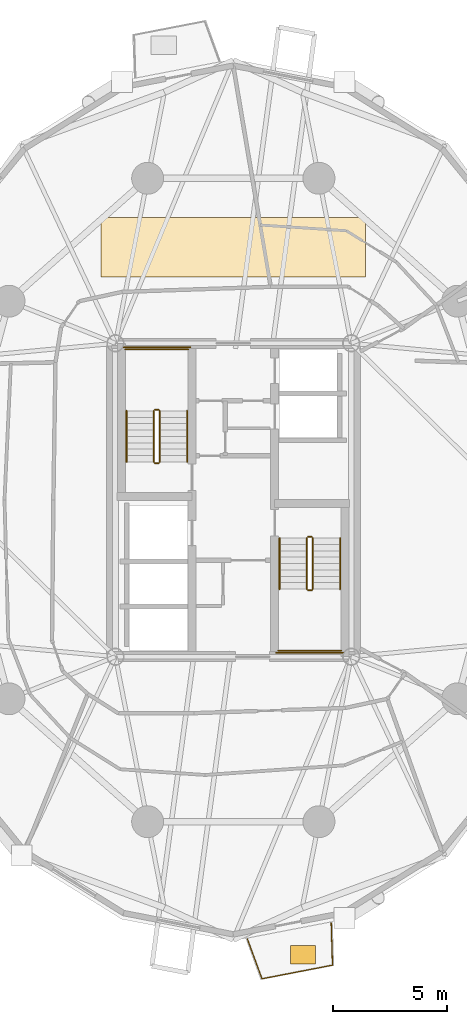
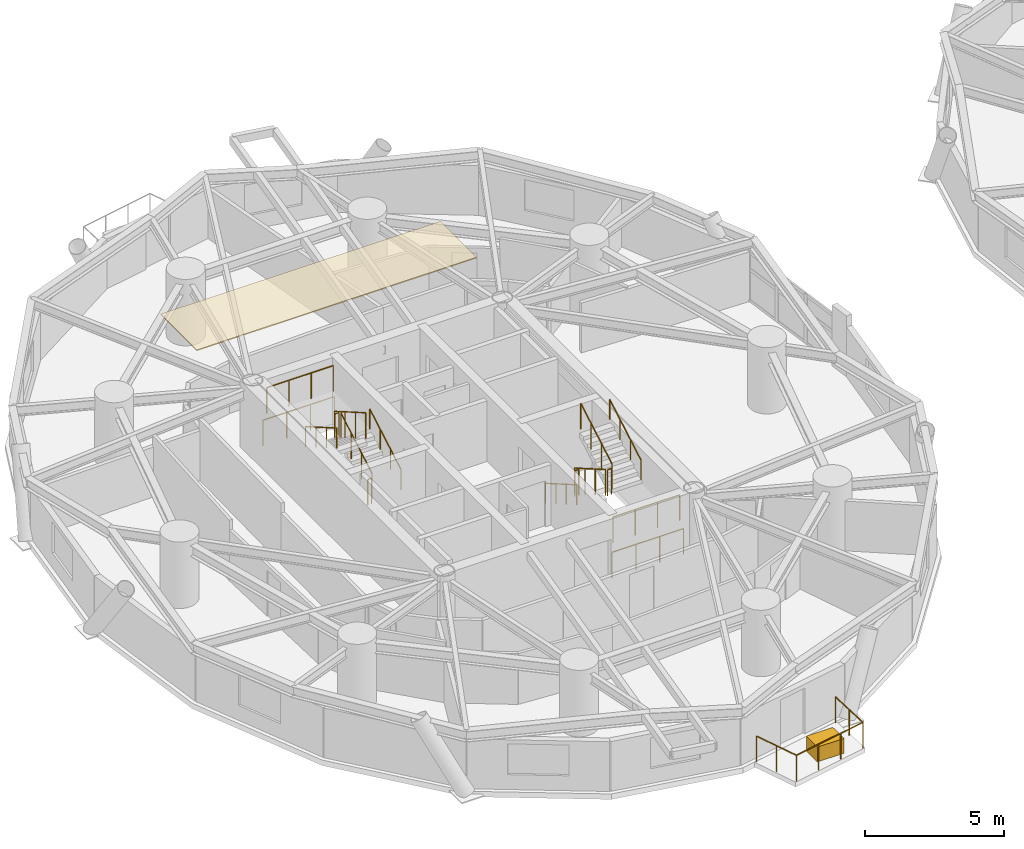
# One storey, part 16 of 18: 17 railings, 2 coverings.
"""IFC4 building model written with IfcOpenShell, lengths in metres."""

import ifcopenshell
import ifcopenshell.guid

model = None  # the IFC model being written
_history = None  # IfcOwnerHistory: only IFC2X3 demands one
_inside = {}  # id of a spatial element -> (the spatial element, [elements in it])
_under = {}  # id of a project, library or spatial element -> (it, [spatial elements below it])
_declared = {}  # id of a project -> (the project, [libraries it declares])
_typed = {}  # id of a type object -> (the type object, [elements of that type])
_made_of = {}  # id of a material, layer set ... -> (it, [elements and type objects made of it])


def new_model(schema):
    """Start an empty IFC model of exactly this schema.

    Asked for "IFC4X3", IfcOpenShell would pick the latest addendum, in which some entities
    have other attributes; the version numbers below select the first issue.
    IFC2X3 requires an IfcOwnerHistory on every rooted entity: one is made here for all.
    """
    global model, _history
    if schema == "IFC4X3":
        model = ifcopenshell.file(schema_version=(4, 3, 0, 0))
    else:
        model = ifcopenshell.file(schema=schema)
    _inside.clear()
    _under.clear()
    _declared.clear()
    _typed.clear()
    _made_of.clear()
    _history = None
    if model.schema == "IFC2X3":
        org = make("IfcOrganization", Name="unknown")
        user = make(
            "IfcPersonAndOrganization",
            ThePerson=make("IfcPerson", FamilyName="unknown"),
            TheOrganization=org,
        )
        app = make(
            "IfcApplication",
            ApplicationDeveloper=org,
            Version="unknown",
            ApplicationFullName="unknown",
            ApplicationIdentifier="unknown",
        )
        _history = make(
            "IfcOwnerHistory",
            OwningUser=user,
            OwningApplication=app,
            ChangeAction="ADDED",
            CreationDate=0,
        )
    return model


def make(cls, **values):
    """One entity of the class cls with the attributes given. An attribute that is None is left unset."""
    return model.create_entity(
        cls, **{name: value for name, value in values.items() if value is not None}
    )


def rooted(cls, **values):
    """An entity with a GlobalId (a new one), such as an element, a storey or a relation."""
    return make(cls, GlobalId=ifcopenshell.guid.new(), OwnerHistory=_history, **values)


def si_unit(unit_type, name, prefix=None):
    """IfcSIUnit, for example si_unit("LENGTHUNIT", "METRE", prefix="MILLI")."""
    return make("IfcSIUnit", UnitType=unit_type, Prefix=prefix, Name=name)


def assignment(units):
    """IfcUnitAssignment: the units of a project."""
    return None if units is None else make("IfcUnitAssignment", Units=units)


def point(xyz):
    """IfcCartesianPoint."""
    return None if xyz is None else make("IfcCartesianPoint", Coordinates=xyz)


def direction(xyz):
    """IfcDirection."""
    return None if xyz is None else make("IfcDirection", DirectionRatios=xyz)


def frame(location, z_axis=None, x_axis=None):
    """IfcAxis2Placement3D, a coordinate frame: its origin and axes. An axis left out is left unset."""
    return make(
        "IfcAxis2Placement3D",
        Location=point(location),
        Axis=direction(z_axis),
        RefDirection=direction(x_axis),
    )


def frame_2d(location, x_axis=None):
    """IfcAxis2Placement2D, a coordinate frame in the plane: its origin and x axis."""
    return make(
        "IfcAxis2Placement2D", Location=point(location), RefDirection=direction(x_axis)
    )


def origin():
    """The frame at (0, 0, 0) with its axes left unset."""
    return frame((0.0, 0.0, 0.0))


def origin_2d():
    """The frame at (0, 0) in the plane with its x axis left unset."""
    return frame_2d((0.0, 0.0))


def place(relative_to, where):
    """IfcLocalPlacement: puts the frame where relative to a parent placement (None: the world)."""
    return make(
        "IfcLocalPlacement", PlacementRelTo=relative_to, RelativePlacement=where
    )


def context(
    kind, dimensions, precision=None, world=None, true_north=None, identifier=None
):
    """IfcGeometricRepresentationContext, for example the 3D "Model" context."""
    return make(
        "IfcGeometricRepresentationContext",
        ContextIdentifier=identifier,
        ContextType=kind,
        CoordinateSpaceDimension=dimensions,
        Precision=precision,
        WorldCoordinateSystem=world,
        TrueNorth=true_north,
    )


def subcontext(parent, identifier, kind, view, scale=None):
    """IfcGeometricRepresentationSubContext, for example "Body" below "Model"."""
    return make(
        "IfcGeometricRepresentationSubContext",
        ContextIdentifier=identifier,
        ContextType=kind,
        ParentContext=parent,
        TargetScale=scale,
        TargetView=view,
    )


def project(units=None, contexts=None):
    """IfcProject with its units and contexts."""
    return rooted(
        "IfcProject",
        Name="project",
        RepresentationContexts=contexts,
        UnitsInContext=assignment(units),
    )


def spatial(cls, under=None, at=None, **own):
    """A site, building, storey or space (cls), placed at a placement, below another one or the project."""
    s = rooted(cls, ObjectPlacement=at, **own)
    if under is not None:
        _under.setdefault(under.id(), (under, []))[1].append(s)
    return s


def polyline(points):
    """IfcPolyline through the points."""
    return make("IfcPolyline", Points=[point(p) for p in points])


def profile(cls, at=None, kind="AREA", **sizes):
    """A parametric profile (cls). Its sizes go by their IFC names, for example OverallWidth=200.0."""
    return make(cls, ProfileType=kind, Position=at, **sizes)


def rectangle(**sizes):
    """IfcRectangleProfileDef."""
    return profile("IfcRectangleProfileDef", **sizes)


def circle(**sizes):
    """IfcCircleProfileDef."""
    return profile("IfcCircleProfileDef", **sizes)


def outline(outer, holes=None, kind="AREA"):
    """IfcArbitraryClosedProfileDef: a profile drawn as a closed curve; with holes, ...WithVoids."""
    if holes is None:
        return make("IfcArbitraryClosedProfileDef", ProfileType=kind, OuterCurve=outer)
    return make(
        "IfcArbitraryProfileDefWithVoids",
        ProfileType=kind,
        OuterCurve=outer,
        InnerCurves=holes,
    )


def extrude(swept, where, along, depth):
    """IfcExtrudedAreaSolid: the profile swept, set in the frame where, extruded along a direction by depth."""
    return make(
        "IfcExtrudedAreaSolid",
        SweptArea=swept,
        Position=where,
        ExtrudedDirection=direction(along),
        Depth=depth,
    )


def shape(context_of_items, identifier, shape_type, items):
    """IfcShapeRepresentation: the items that make up one representation, for example the "Body"."""
    return make(
        "IfcShapeRepresentation",
        ContextOfItems=context_of_items,
        RepresentationIdentifier=identifier,
        RepresentationType=shape_type,
        Items=items,
    )


def source(mapping_origin, context_of_items, identifier, shape_type, items):
    """IfcRepresentationMap: a shape defined once, which mapped items show again and again."""
    return make(
        "IfcRepresentationMap",
        MappingOrigin=mapping_origin,
        MappedRepresentation=shape(context_of_items, identifier, shape_type, items),
    )


def transform(
    local_origin,
    x_axis=None,
    y_axis=None,
    z_axis=None,
    scale=None,
    scale2=None,
    scale3=None,
    uniform=True,
):
    """IfcCartesianTransformationOperator3D, or its non-uniform kind. x_axis, y_axis, z_axis: its Axis1, 2, 3."""
    if uniform:
        return make(
            "IfcCartesianTransformationOperator3D",
            Axis1=direction(x_axis),
            Axis2=direction(y_axis),
            LocalOrigin=point(local_origin),
            Scale=scale,
            Axis3=direction(z_axis),
        )
    return make(
        "IfcCartesianTransformationOperator3DnonUniform",
        Axis1=direction(x_axis),
        Axis2=direction(y_axis),
        LocalOrigin=point(local_origin),
        Scale=scale,
        Axis3=direction(z_axis),
        Scale2=scale2,
        Scale3=scale3,
    )


def mapped(mapping_source, mapping_target):
    """IfcMappedItem: shows the shape of a source again, moved by a transform."""
    return make(
        "IfcMappedItem", MappingSource=mapping_source, MappingTarget=mapping_target
    )


def material(Name=None, Category=None):
    """IfcMaterial."""
    return make("IfcMaterial", Name=Name, Category=Category)


def layer(
    of_material, thickness, ventilated=None, Name=None, Category=None, Priority=None
):
    """IfcMaterialLayer: one layer of a wall or slab, of a material (None: an air gap)."""
    return make(
        "IfcMaterialLayer",
        Material=of_material,
        LayerThickness=thickness,
        IsVentilated=ventilated,
        Name=Name,
        Category=Category,
        Priority=Priority,
    )


def layer_set(layers, Name=None):
    """IfcMaterialLayerSet."""
    return make("IfcMaterialLayerSet", MaterialLayers=layers, LayerSetName=Name)


def made_of(thing, what):
    """Note that an element or type object is made of a material, layer set ...; save() writes the relation."""
    if what is not None:
        _made_of.setdefault(what.id(), (what, []))[1].append(thing)
    return thing


def type_object(cls, material=None, **own):
    """A type object (cls), such as IfcWallType, which elements share."""
    return made_of(rooted(cls, **own), material)


def element(
    cls,
    number,
    at=None,
    inside=None,
    cuts=None,
    type_object=None,
    material=None,
    context=None,
    identifier="Body",
    shape_type=None,
    held_by="IfcProductDefinitionShape",
    body=None,
    shapes=None,
    **own,
):
    """One element of the class cls, such as IfcWall. Its Tag is "e" and its number.

    at: its placement. inside: the storey or other place that contains it. cuts: it is an
    opening in that element (IfcRelVoidsElement). A single representation is given by context,
    identifier, shape_type and body (its items); several are given by shapes. held_by: the class
    of the entity that holds the representations. save() writes the other relations.
    """
    e = rooted(cls, Tag="e%d" % number, ObjectPlacement=at, **own)
    if body is not None:
        shapes = [shape(context, identifier, shape_type, body)]
    if shapes is not None:
        e.Representation = make(held_by, Representations=shapes)
    if inside is not None:
        _inside.setdefault(inside.id(), (inside, []))[1].append(e)
    if cuts is not None:
        rooted(
            "IfcRelVoidsElement", RelatingBuildingElement=cuts, RelatedOpeningElement=e
        )
    if type_object is not None:
        _typed.setdefault(type_object.id(), (type_object, []))[1].append(e)
    return made_of(e, material)


def aggregate(whole, parts):
    """IfcRelAggregates: a whole, such as a stair, and the parts it consists of."""
    return rooted("IfcRelAggregates", RelatingObject=whole, RelatedObjects=parts)


def save(model, path):
    """Write the relations noted so far, then the file.

    IfcRelAggregates (storeys below a building ...), IfcRelContainedInSpatialStructure (elements
    in a storey), IfcRelDefinesByType, IfcRelAssociatesMaterial and IfcRelDeclares: one each for
    every whole, place, type object, material and project.
    """
    for whole, parts in _under.values():
        aggregate(whole, parts)
    for where, things in _inside.values():
        rooted(
            "IfcRelContainedInSpatialStructure",
            RelatedElements=things,
            RelatingStructure=where,
        )
    for kind, things in _typed.values():
        rooted("IfcRelDefinesByType", RelatedObjects=things, RelatingType=kind)
    for what, things in _made_of.values():
        rooted("IfcRelAssociatesMaterial", RelatedObjects=things, RelatingMaterial=what)
    for by, libraries in _declared.values():
        rooted("IfcRelDeclares", RelatingContext=by, RelatedDefinitions=libraries)
    model.write(path)


model = new_model("IFC4")

# Units and contexts
model_context = context("Model", 3, precision=1e-05, world=origin(), true_north=direction((0.0, 1.0)))
body_context = subcontext(model_context, "Body", "Model", "MODEL_VIEW")
ifc_project = project(units=[si_unit("LENGTHUNIT", "METRE"), si_unit("AREAUNIT", "SQUARE_METRE"), si_unit("VOLUMEUNIT", "CUBIC_METRE"), si_unit("PLANEANGLEUNIT", "RADIAN"), si_unit("MASSUNIT", "GRAM", prefix="KILO")], contexts=[model_context])

# Site, building, storey
site_placement = place(None, origin())
site = spatial("IfcSite", under=ifc_project, at=site_placement, CompositionType="ELEMENT")
building_placement = place(site_placement, origin())
building = spatial("IfcBuilding", under=site, at=building_placement, Name="Cununo Teusaquillo Station Towers", CompositionType="ELEMENT")
storey_placement = place(building_placement, frame((0.0, 0.0, 110.889892578125)))
storey = spatial("IfcBuildingStorey", under=building, at=storey_placement, Name="L35", CompositionType="ELEMENT", Elevation=110.889892578125)

# Covering
ifc_material_1 = material(Name="Mineral-fibre acoustic suspended ceiling tile", Category="finish")
ifc_layer_1 = layer(ifc_material_1, 0.044921875)
ifc_layer_set_1 = layer_set([ifc_layer_1], Name="Mineral-fibre acoustic suspended ceiling tile")
covering_type_1 = type_object("IfcCoveringType", Name="COV-CEIL-600", PredefinedType="CEILING", material=ifc_layer_set_1)
covering_1_placement = place(storey_placement, frame((0.0, 0.0, 2.625)))
element("IfcCovering", 1, at=covering_1_placement, inside=storey, type_object=covering_type_1, Name="L35 Tower A Acoustic Ceiling", PredefinedType="CEILING", context=body_context, shape_type="SweptSolid", body=[
    extrude(outline(polyline([(22.300048828125, 36.89990234375), (22.300048828125, 34.300048828125), (10.699951171875, 34.300048828125), (10.699951171875, 36.89990234375), (22.300048828125, 36.89990234375)])), origin(), (0.0, 0.0, 1.0), 0.045166015625),
])

# Railings
ifc_material_2 = material(Name="Anodised dark bronze aluminium EN AW-6063-T6", Category="aluminium")
railing_type_1 = type_object("IfcRailingType", Name="RL-EXT-GUARD", PredefinedType="GUARDRAIL", material=ifc_material_2)
railing_1_placement = place(storey_placement, frame((20.79833984375, 5.939453125, 0.0)))
element("IfcRailing", 2, at=railing_1_placement, inside=storey, type_object=railing_type_1, Name="L35 Tower A Balcony Guardrail C15", PredefinedType="GUARDRAIL", context=body_context, shape_type="SweptSolid", body=[
    extrude(circle(Radius=0.02392578125, at=origin_2d()), frame((0.0, 0.0, 1.1259765625), z_axis=(0.030662031384, -0.999529809376, 0.0), x_axis=(0.999529809376, 0.030662031384, 0.0)), (0.0, 0.0, 1.0), 1.86328125),
    extrude(circle(Radius=0.02392578125, at=origin_2d()), frame((0.05712890625, -1.8623046875, 1.1259765625), z_axis=(-0.981834317938, -0.189740275429, 0.0), x_axis=(0.189740275429, -0.981834317938, 0.0)), (0.0, 0.0, 1.0), 3.15380859375),
    extrude(circle(Radius=0.02392578125, at=origin_2d()), frame((-3.039306640625, -2.460693359375, 1.1259765625), z_axis=(-0.343962021681, 0.9389835609, 0.0), x_axis=(-0.9389835609, -0.343962021681, 0.0)), (0.0, 0.0, 1.0), 1.86328125),
    extrude(circle(Radius=0.02099609375, at=origin_2d()), origin(), (0.0, 0.0, 1.0), 1.101806640625),
    extrude(circle(Radius=0.02099609375, at=origin_2d()), frame((0.028564453125, -0.93115234375, 0.0)), (0.0, 0.0, 1.0), 1.101806640625),
    extrude(circle(Radius=0.02099609375, at=origin_2d()), frame((0.05712890625, -1.8623046875, 0.0)), (0.0, 0.0, 1.0), 1.101806640625),
    extrude(circle(Radius=0.02099609375, at=origin_2d()), frame((-0.97509765625, -2.061767578125, 0.0)), (0.0, 0.0, 1.0), 1.101806640625),
    extrude(circle(Radius=0.02099609375, at=origin_2d()), frame((-2.007080078125, -2.26123046875, 0.0)), (0.0, 0.0, 1.0), 1.101806640625),
    extrude(circle(Radius=0.02099609375, at=origin_2d()), frame((-3.039306640625, -2.460693359375, 0.0)), (0.0, 0.0, 1.0), 1.101806640625),
    extrude(circle(Radius=0.02099609375, at=origin_2d()), frame((-3.35986328125, -1.5859375, 0.0)), (0.0, 0.0, 1.0), 1.101806640625),
    extrude(circle(Radius=0.02099609375, at=origin_2d()), frame((-3.68017578125, -0.711181640625, 0.0)), (0.0, 0.0, 1.0), 1.101806640625),
])
ifc_material_3 = material(Name="Steel EN 10025-2 S355J2", Category="steel")
railing_type_2 = type_object("IfcRailingType", Name="RL-INT-GUARD", PredefinedType="GUARDRAIL", material=ifc_material_3)
railing_2_placement = place(storey_placement, frame((13.27001953125, 26.169921875, 0.161865234375)))
element("IfcRailing", 3, at=railing_2_placement, inside=storey, type_object=railing_type_2, Name="L35 ST-T1-1 stair guard 1", PredefinedType="GUARDRAIL", context=body_context, shape_type="SweptSolid", body=[
    extrude(circle(Radius=0.02392578125, at=origin_2d()), frame((0.0, 0.0, 1.1259765625), z_axis=(0.0, 0.866033117094, 0.499986639918), x_axis=(-1.0, 0.0, 0.0)), (0.0, 0.0, 1.0), 2.58642578125),
    extrude(circle(Radius=0.02099609375, at=origin_2d()), origin(), (0.0, 0.0, 1.0), 1.101806640625),
    extrude(circle(Radius=0.02099609375, at=origin_2d()), frame((0.0, 0.74658203125, 0.43115234375)), (0.0, 0.0, 1.0), 1.101806640625),
    extrude(circle(Radius=0.02099609375, at=origin_2d()), frame((0.0, 1.493408203125, 0.862060546875)), (0.0, 0.0, 1.0), 1.101806640625),
    extrude(circle(Radius=0.02099609375, at=origin_2d()), frame((0.0, 2.239990234375, 1.293212890625)), (0.0, 0.0, 1.0), 1.101806640625),
])
railing_3_placement = place(storey_placement, frame((13.219970703125, 28.4599609375, 1.455078125)))
element("IfcRailing", 4, at=railing_3_placement, inside=storey, type_object=railing_type_2, Name="L35 ST-T1-1 stair guard 2", PredefinedType="GUARDRAIL", context=body_context, shape_type="SweptSolid", body=[
    extrude(circle(Radius=0.02392578125, at=origin_2d()), frame((0.0, 0.0, 1.1259765625), z_axis=(-1.0, 0.0, 0.0), x_axis=(0.0, -1.0, 0.0)), (0.0, 0.0, 1.0), 0.159912109375),
    extrude(circle(Radius=0.02099609375, at=origin_2d()), origin(), (0.0, 0.0, 1.0), 1.101806640625),
    extrude(circle(Radius=0.02099609375, at=origin_2d()), frame((-0.159912109375, 0.0, 0.0)), (0.0, 0.0, 1.0), 1.101806640625),
])
railing_4_placement = place(storey_placement, frame((14.52001953125, 31.110107421875, 1.455078125)))
element("IfcRailing", 5, at=railing_4_placement, inside=storey, type_object=railing_type_2, Name="L35 ST-T1-1 stair guard 3", PredefinedType="GUARDRAIL", context=body_context, shape_type="SweptSolid", body=[
    extrude(circle(Radius=0.02392578125, at=origin_2d()), frame((0.0, 0.0, 1.1259765625), z_axis=(-1.0, 0.0, 0.0), x_axis=(0.0, -1.0, 0.0)), (0.0, 0.0, 1.0), 2.760009765625),
    extrude(circle(Radius=0.02099609375, at=origin_2d()), origin(), (0.0, 0.0, 1.0), 1.101806640625),
    extrude(circle(Radius=0.02099609375, at=origin_2d()), frame((-0.919921875, 0.0, 0.0)), (0.0, 0.0, 1.0), 1.101806640625),
    extrude(circle(Radius=0.02099609375, at=origin_2d()), frame((-1.840087890625, 0.0, 0.0)), (0.0, 0.0, 1.0), 1.101806640625),
    extrude(circle(Radius=0.02099609375, at=origin_2d()), frame((-2.760009765625, 0.0, 0.0)), (0.0, 0.0, 1.0), 1.101806640625),
])
railing_5_placement = place(storey_placement, frame((13.010009765625, 28.409912109375, 1.61669921875)))
element("IfcRailing", 6, at=railing_5_placement, inside=storey, type_object=railing_type_2, Name="L35 ST-T1-1 stair guard 4", PredefinedType="GUARDRAIL", context=body_context, shape_type="SweptSolid", body=[
    extrude(circle(Radius=0.02392578125, at=origin_2d()), frame((0.0, 0.0, 1.1259765625), z_axis=(0.0, -0.865992244559, 0.500057429065), x_axis=(1.0, 0.0, 0.0)), (0.0, 0.0, 1.0), 2.586669921875),
    extrude(circle(Radius=0.02099609375, at=origin_2d()), origin(), (0.0, 0.0, 1.0), 1.101806640625),
    extrude(circle(Radius=0.02099609375, at=origin_2d()), frame((0.0, -0.74658203125, 0.43115234375)), (0.0, 0.0, 1.0), 1.101806640625),
    extrude(circle(Radius=0.02099609375, at=origin_2d()), frame((0.0, -1.493408203125, 0.8623046875)), (0.0, 0.0, 1.0), 1.101806640625),
    extrude(circle(Radius=0.02099609375, at=origin_2d()), frame((0.0, -2.239990234375, 1.29345703125)), (0.0, 0.0, 1.0), 1.101806640625),
])
railing_6_placement = place(storey_placement, frame((13.219970703125, 26.1201171875, 0.0)))
element("IfcRailing", 7, at=railing_6_placement, inside=storey, type_object=railing_type_2, Name="L35 ST-T1-1 stair guard 5", PredefinedType="GUARDRAIL", context=body_context, shape_type="SweptSolid", body=[
    extrude(circle(Radius=0.02392578125, at=origin_2d()), frame((0.0, 0.0, 1.1259765625), z_axis=(-1.0, 0.0, 0.0), x_axis=(0.0, -1.0, 0.0)), (0.0, 0.0, 1.0), 0.159912109375),
    extrude(circle(Radius=0.02099609375, at=origin_2d()), origin(), (0.0, 0.0, 1.0), 1.101806640625),
    extrude(circle(Radius=0.02099609375, at=origin_2d()), frame((-0.159912109375, 0.0, 0.0)), (0.0, 0.0, 1.0), 1.101806640625),
])
railing_7_placement = place(storey_placement, frame((14.6201171875, 31.2099609375, 0.0)))
element("IfcRailing", 8, at=railing_7_placement, inside=storey, type_object=railing_type_2, Name="L35 ST-T1-1 stair guard 6", PredefinedType="GUARDRAIL", context=body_context, shape_type="SweptSolid", body=[
    extrude(circle(Radius=0.02392578125, at=origin_2d()), frame((0.0, 0.0, 1.1259765625), z_axis=(-1.0, 0.0, 0.0), x_axis=(0.0, -1.0, 0.0)), (0.0, 0.0, 1.0), 2.960205078125),
    extrude(circle(Radius=0.02099609375, at=origin_2d()), origin(), (0.0, 0.0, 1.0), 1.101806640625),
    extrude(circle(Radius=0.02099609375, at=origin_2d()), frame((-0.98681640625, 0.0, 0.0)), (0.0, 0.0, 1.0), 1.101806640625),
    extrude(circle(Radius=0.02099609375, at=origin_2d()), frame((-1.973388671875, 0.0, 0.0)), (0.0, 0.0, 1.0), 1.101806640625),
    extrude(circle(Radius=0.02099609375, at=origin_2d()), frame((-2.960205078125, 0.0, 0.0)), (0.0, 0.0, 1.0), 1.101806640625),
])
railing_8_placement = place(storey_placement, frame((19.72998046875, 22.830078125, 0.161865234375)))
element("IfcRailing", 9, at=railing_8_placement, inside=storey, type_object=railing_type_2, Name="L35 ST-T1-2 stair guard 1", PredefinedType="GUARDRAIL", context=body_context, shape_type="SweptSolid", body=[
    extrude(circle(Radius=0.02392578125, at=origin_2d()), frame((0.0, 0.0, 1.1259765625), z_axis=(0.0, -0.866033117094, 0.499986639918), x_axis=(1.0, 0.0, 0.0)), (0.0, 0.0, 1.0), 2.58642578125),
    extrude(circle(Radius=0.02099609375, at=origin_2d()), origin(), (0.0, 0.0, 1.0), 1.101806640625),
    extrude(circle(Radius=0.02099609375, at=origin_2d()), frame((0.0, -0.74658203125, 0.43115234375)), (0.0, 0.0, 1.0), 1.101806640625),
    extrude(circle(Radius=0.02099609375, at=origin_2d()), frame((0.0, -1.493408203125, 0.862060546875)), (0.0, 0.0, 1.0), 1.101806640625),
    extrude(circle(Radius=0.02099609375, at=origin_2d()), frame((0.0, -2.239990234375, 1.293212890625)), (0.0, 0.0, 1.0), 1.101806640625),
])
railing_9_placement = place(storey_placement, frame((19.780029296875, 20.5400390625, 1.455078125)))
element("IfcRailing", 10, at=railing_9_placement, inside=storey, type_object=railing_type_2, Name="L35 ST-T1-2 stair guard 2", PredefinedType="GUARDRAIL", context=body_context, shape_type="SweptSolid", body=[
    extrude(circle(Radius=0.02392578125, at=origin_2d()), frame((0.0, 0.0, 1.1259765625), z_axis=(1.0, 0.0, 0.0), x_axis=(0.0, 1.0, 0.0)), (0.0, 0.0, 1.0), 0.159912109375),
    extrude(circle(Radius=0.02099609375, at=origin_2d()), origin(), (0.0, 0.0, 1.0), 1.101806640625),
    extrude(circle(Radius=0.02099609375, at=origin_2d()), frame((0.159912109375, 0.0, 0.0)), (0.0, 0.0, 1.0), 1.101806640625),
])
railing_10_placement = place(storey_placement, frame((18.47998046875, 17.889892578125, 1.455078125)))
element("IfcRailing", 11, at=railing_10_placement, inside=storey, type_object=railing_type_2, Name="L35 ST-T1-2 stair guard 3", PredefinedType="GUARDRAIL", context=body_context, shape_type="SweptSolid", body=[
    extrude(circle(Radius=0.02392578125, at=origin_2d()), frame((0.0, 0.0, 1.1259765625), z_axis=(1.0, 0.0, 0.0), x_axis=(0.0, 1.0, 0.0)), (0.0, 0.0, 1.0), 2.760009765625),
    extrude(circle(Radius=0.02099609375, at=origin_2d()), origin(), (0.0, 0.0, 1.0), 1.101806640625),
    extrude(circle(Radius=0.02099609375, at=origin_2d()), frame((0.919921875, 0.0, 0.0)), (0.0, 0.0, 1.0), 1.101806640625),
    extrude(circle(Radius=0.02099609375, at=origin_2d()), frame((1.840087890625, 0.0, 0.0)), (0.0, 0.0, 1.0), 1.101806640625),
    extrude(circle(Radius=0.02099609375, at=origin_2d()), frame((2.760009765625, 0.0, 0.0)), (0.0, 0.0, 1.0), 1.101806640625),
])
railing_11_placement = place(storey_placement, frame((19.989990234375, 20.590087890625, 1.61669921875)))
element("IfcRailing", 12, at=railing_11_placement, inside=storey, type_object=railing_type_2, Name="L35 ST-T1-2 stair guard 4", PredefinedType="GUARDRAIL", context=body_context, shape_type="SweptSolid", body=[
    extrude(circle(Radius=0.02392578125, at=origin_2d()), frame((0.0, 0.0, 1.1259765625), z_axis=(0.0, 0.865992244559, 0.500057429065), x_axis=(-1.0, 0.0, 0.0)), (0.0, 0.0, 1.0), 2.586669921875),
    extrude(circle(Radius=0.02099609375, at=origin_2d()), origin(), (0.0, 0.0, 1.0), 1.101806640625),
    extrude(circle(Radius=0.02099609375, at=origin_2d()), frame((0.0, 0.74658203125, 0.43115234375)), (0.0, 0.0, 1.0), 1.101806640625),
    extrude(circle(Radius=0.02099609375, at=origin_2d()), frame((0.0, 1.493408203125, 0.8623046875)), (0.0, 0.0, 1.0), 1.101806640625),
    extrude(circle(Radius=0.02099609375, at=origin_2d()), frame((0.0, 2.239990234375, 1.29345703125)), (0.0, 0.0, 1.0), 1.101806640625),
])
railing_12_placement = place(storey_placement, frame((19.780029296875, 22.8798828125, 0.0)))
element("IfcRailing", 13, at=railing_12_placement, inside=storey, type_object=railing_type_2, Name="L35 ST-T1-2 stair guard 5", PredefinedType="GUARDRAIL", context=body_context, shape_type="SweptSolid", body=[
    extrude(circle(Radius=0.02392578125, at=origin_2d()), frame((0.0, 0.0, 1.1259765625), z_axis=(1.0, 0.0, 0.0), x_axis=(0.0, 1.0, 0.0)), (0.0, 0.0, 1.0), 0.159912109375),
    extrude(circle(Radius=0.02099609375, at=origin_2d()), origin(), (0.0, 0.0, 1.0), 1.101806640625),
    extrude(circle(Radius=0.02099609375, at=origin_2d()), frame((0.159912109375, 0.0, 0.0)), (0.0, 0.0, 1.0), 1.101806640625),
])
railing_13_placement = place(storey_placement, frame((18.3798828125, 17.7900390625, 0.0)))
element("IfcRailing", 14, at=railing_13_placement, inside=storey, type_object=railing_type_2, Name="L35 ST-T1-2 stair guard 6", PredefinedType="GUARDRAIL", context=body_context, shape_type="SweptSolid", body=[
    extrude(circle(Radius=0.02392578125, at=origin_2d()), frame((0.0, 0.0, 1.1259765625), z_axis=(1.0, 0.0, 0.0), x_axis=(0.0, 1.0, 0.0)), (0.0, 0.0, 1.0), 2.960205078125),
    extrude(circle(Radius=0.02099609375, at=origin_2d()), origin(), (0.0, 0.0, 1.0), 1.101806640625),
    extrude(circle(Radius=0.02099609375, at=origin_2d()), frame((0.98681640625, 0.0, 0.0)), (0.0, 0.0, 1.0), 1.101806640625),
    extrude(circle(Radius=0.02099609375, at=origin_2d()), frame((1.973388671875, 0.0, 0.0)), (0.0, 0.0, 1.0), 1.101806640625),
    extrude(circle(Radius=0.02099609375, at=origin_2d()), frame((2.960205078125, 0.0, 0.0)), (0.0, 0.0, 1.0), 1.101806640625),
])
ifc_material_4 = material(Name="Steel EN 10025-2 S355J2", Category="steel")
railing_type_3 = type_object("IfcRailingType", Name="RL-INT-HRAIL", PredefinedType="HANDRAIL", material=ifc_material_4)
railing_14_placement = place(storey_placement, frame((14.469970703125, 26.169921875, 0.161865234375)))
element("IfcRailing", 15, at=railing_14_placement, inside=storey, type_object=railing_type_3, Name="L35 ST-T1-1 stair handrail 1", PredefinedType="HANDRAIL", context=body_context, shape_type="SweptSolid", body=[
    extrude(circle(Radius=0.02392578125, at=origin_2d()), frame((0.0, 0.0, 0.8759765625), z_axis=(0.0, 0.866033117094, 0.499986639918), x_axis=(-1.0, 0.0, 0.0)), (0.0, 0.0, 1.0), 2.58642578125),
    extrude(circle(Radius=0.02099609375, at=origin_2d()), origin(), (0.0, 0.0, 1.0), 0.851806640625),
    extrude(circle(Radius=0.02099609375, at=origin_2d()), frame((0.0, 0.74658203125, 0.43115234375)), (0.0, 0.0, 1.0), 0.851806640625),
    extrude(circle(Radius=0.02099609375, at=origin_2d()), frame((0.0, 1.493408203125, 0.862060546875)), (0.0, 0.0, 1.0), 0.851806640625),
    extrude(circle(Radius=0.02099609375, at=origin_2d()), frame((0.0, 2.239990234375, 1.293212890625)), (0.0, 0.0, 1.0), 0.851806640625),
])
railing_15_placement = place(storey_placement, frame((11.81005859375, 28.409912109375, 1.61669921875)))
element("IfcRailing", 16, at=railing_15_placement, inside=storey, type_object=railing_type_3, Name="L35 ST-T1-1 stair handrail 2", PredefinedType="HANDRAIL", context=body_context, shape_type="SweptSolid", body=[
    extrude(circle(Radius=0.02392578125, at=origin_2d()), frame((0.0, 0.0, 0.8759765625), z_axis=(0.0, -0.865992244559, 0.500057429065), x_axis=(1.0, 0.0, 0.0)), (0.0, 0.0, 1.0), 2.586669921875),
    extrude(circle(Radius=0.02099609375, at=origin_2d()), origin(), (0.0, 0.0, 1.0), 0.851806640625),
    extrude(circle(Radius=0.02099609375, at=origin_2d()), frame((0.0, -0.74658203125, 0.43115234375)), (0.0, 0.0, 1.0), 0.851806640625),
    extrude(circle(Radius=0.02099609375, at=origin_2d()), frame((0.0, -1.493408203125, 0.8623046875)), (0.0, 0.0, 1.0), 0.851806640625),
    extrude(circle(Radius=0.02099609375, at=origin_2d()), frame((0.0, -2.239990234375, 1.29345703125)), (0.0, 0.0, 1.0), 0.851806640625),
])
railing_16_placement = place(storey_placement, frame((18.530029296875, 22.830078125, 0.161865234375)))
element("IfcRailing", 17, at=railing_16_placement, inside=storey, type_object=railing_type_3, Name="L35 ST-T1-2 stair handrail 1", PredefinedType="HANDRAIL", context=body_context, shape_type="SweptSolid", body=[
    extrude(circle(Radius=0.02392578125, at=origin_2d()), frame((0.0, 0.0, 0.8759765625), z_axis=(0.0, -0.866033117094, 0.499986639918), x_axis=(1.0, 0.0, 0.0)), (0.0, 0.0, 1.0), 2.58642578125),
    extrude(circle(Radius=0.02099609375, at=origin_2d()), origin(), (0.0, 0.0, 1.0), 0.851806640625),
    extrude(circle(Radius=0.02099609375, at=origin_2d()), frame((0.0, -0.74658203125, 0.43115234375)), (0.0, 0.0, 1.0), 0.851806640625),
    extrude(circle(Radius=0.02099609375, at=origin_2d()), frame((0.0, -1.493408203125, 0.862060546875)), (0.0, 0.0, 1.0), 0.851806640625),
    extrude(circle(Radius=0.02099609375, at=origin_2d()), frame((0.0, -2.239990234375, 1.293212890625)), (0.0, 0.0, 1.0), 0.851806640625),
])
railing_17_placement = place(storey_placement, frame((21.18994140625, 20.590087890625, 1.61669921875)))
element("IfcRailing", 18, at=railing_17_placement, inside=storey, type_object=railing_type_3, Name="L35 ST-T1-2 stair handrail 2", PredefinedType="HANDRAIL", context=body_context, shape_type="SweptSolid", body=[
    extrude(circle(Radius=0.02392578125, at=origin_2d()), frame((0.0, 0.0, 0.8759765625), z_axis=(0.0, 0.865992244559, 0.500057429065), x_axis=(-1.0, 0.0, 0.0)), (0.0, 0.0, 1.0), 2.586669921875),
    extrude(circle(Radius=0.02099609375, at=origin_2d()), origin(), (0.0, 0.0, 1.0), 0.851806640625),
    extrude(circle(Radius=0.02099609375, at=origin_2d()), frame((0.0, 0.74658203125, 0.43115234375)), (0.0, 0.0, 1.0), 0.851806640625),
    extrude(circle(Radius=0.02099609375, at=origin_2d()), frame((0.0, 1.493408203125, 0.8623046875)), (0.0, 0.0, 1.0), 0.851806640625),
    extrude(circle(Radius=0.02099609375, at=origin_2d()), frame((0.0, 2.239990234375, 1.29345703125)), (0.0, 0.0, 1.0), 0.851806640625),
])

# Covering
ifc_material_5 = material(Name="Architectural GRC planter shell and engineered root-zone substrate", Category="concrete")
ifc_layer_2 = layer(ifc_material_5, 0.64990234375)
ifc_layer_set_2 = layer_set([ifc_layer_2], Name="Architectural GRC planter shell and engineered root-zone substrate")
covering_type_2 = type_object("IfcCoveringType", Name="COV-TREE-PLANTER", PredefinedType="CLADDING", material=ifc_layer_set_2)
shared_shape = source(origin(), body_context, "Body", "SweptSolid", [
    extrude(rectangle(XDim=1.10009765625, YDim=0.800048828125, at=origin_2d()), origin(), (0.0, 0.0, 1.0), 0.64990234375),
])
covering_2_placement = place(storey_placement, frame((19.5537109375, 4.531494140625, 0.000244140625), z_axis=(0.0, 0.0, 1.0), x_axis=(1.0, 0.0, 0.0)))
element("IfcCovering", 19, at=covering_2_placement, inside=storey, type_object=covering_type_2, Name="L35 Tower A Balcony Tree PLANTER C15", PredefinedType="CLADDING", context=body_context, shape_type="MappedRepresentation", body=[
    mapped(shared_shape, transform((0.0, 0.0, 0.0), x_axis=(1.0, 0.0, 0.0), y_axis=(0.0, 1.0, 0.0), z_axis=(0.0, 0.0, 1.0), scale=1.0)),
])

save(model, "model.ifc")
